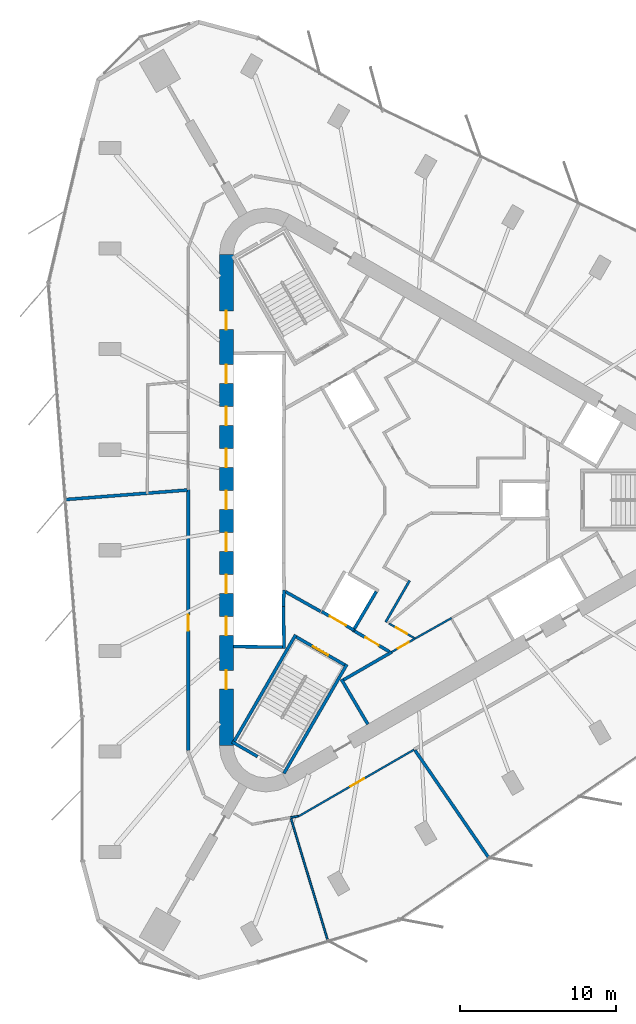
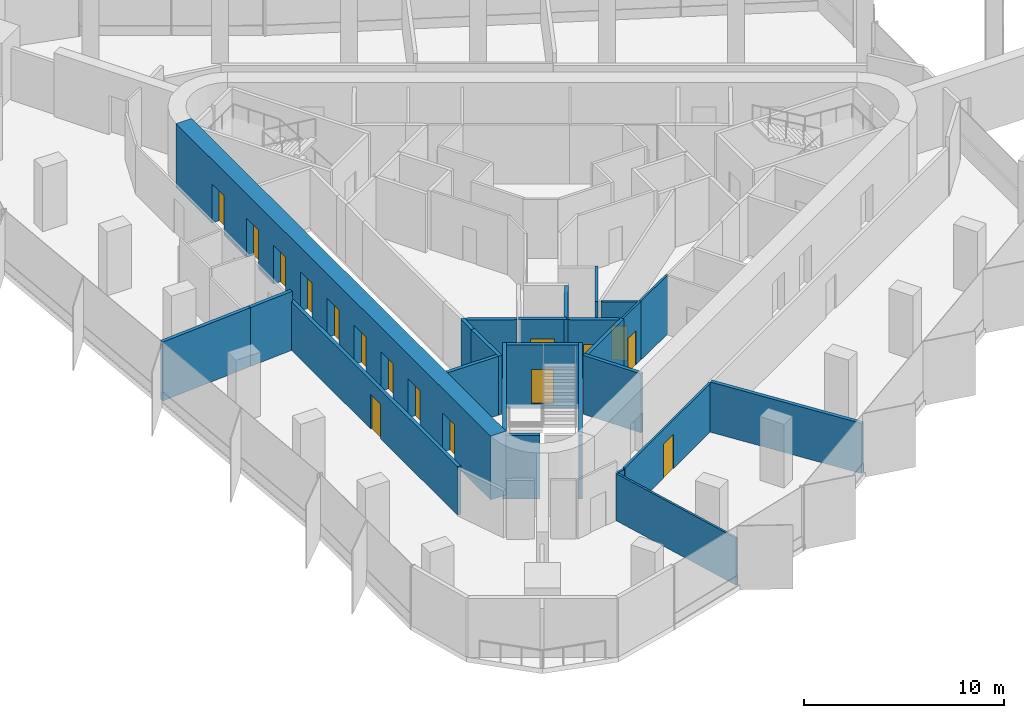
# One storey, part 7 of 12: 25 walls, 16 doors, 16 openings.
"""IFC4 building model written with IfcOpenShell, lengths in metres."""

from ifc_helpers import new_model, si_unit, direction, frame, frame_2d, origin, place, context, subcontext, project, spatial, rectangle, extrude, material, layer, layer_set, type_object, element, fill, save


model = new_model("IFC4")

# Units and contexts
model_context = context("Model", 3, precision=1e-05, world=origin(), true_north=direction((0.0, 1.0)))
body_context = subcontext(model_context, "Body", "Model", "MODEL_VIEW")
ifc_project = project(units=[si_unit("LENGTHUNIT", "METRE"), si_unit("AREAUNIT", "SQUARE_METRE"), si_unit("VOLUMEUNIT", "CUBIC_METRE"), si_unit("PLANEANGLEUNIT", "RADIAN"), si_unit("MASSUNIT", "GRAM", prefix="KILO")], contexts=[model_context])

# Site, building, storey
site_placement = place(None, origin())
site = spatial("IfcSite", under=ifc_project, at=site_placement, CompositionType="ELEMENT")
building_placement = place(site_placement, origin())
building = spatial("IfcBuilding", under=site, at=building_placement, Name="Tanit Gate Tower", CompositionType="ELEMENT")
storey_placement = place(building_placement, frame((0.0, 0.0, 372.800048828125)))
storey = spatial("IfcBuildingStorey", under=building, at=storey_placement, Name="L85", CompositionType="ELEMENT", Elevation=372.800048828125)

# Wall, openings, doors
ifc_material_1 = material(Name="Concrete C40/50", Category="concrete")
ifc_layer_1 = layer(ifc_material_1, 0.89990234375)
ifc_layer_set_1 = layer_set([ifc_layer_1], Name="CORE WALL 900 C40/50")
wall_type_1 = type_object("IfcWallType", Name="CORE WALL 900 C40/50", PredefinedType="SHEAR", material=ifc_layer_set_1)
wall_1_placement = place(storey_placement, frame((-11.64990234375, 15.76171875, 0.0), z_axis=(0.0, 0.0, 1.0), x_axis=(0.0, -1.0, 0.0)))
wall_1 = element("IfcWall", 1, at=wall_1_placement, inside=storey, type_object=wall_type_1, Name="CORE WALL", PredefinedType="SHEAR", context=body_context, shape_type="SweptSolid", body=[
    extrude(rectangle(XDim=31.5234375, YDim=0.89990234375, at=frame_2d((15.76171875, 0.0))), origin(), (0.0, 0.0, 1.0), 3.89990234375),
])
opening_1_placement = place(wall_1_placement, frame((7.061767578125, 0.0, 0.0)))
opening_1 = element("IfcOpeningElement", 2, at=opening_1_placement, cuts=wall_1, Name="Opening LDHL1-85", PredefinedType="OPENING", context=body_context, shape_type="SweptSolid", body=[
    extrude(rectangle(XDim=1.199951171875, YDim=2.39990234375, at=frame_2d((0.60009765625, 1.199951171875))), frame((0.0, 0.4599609375, 0.0), z_axis=(0.0, -1.0, 0.0), x_axis=(1.0, 0.0, 0.0)), (0.0, 0.0, 1.0), 0.919921875),
])
opening_2_placement = place(wall_1_placement, frame((9.76171875, 0.0, 0.0)))
opening_2 = element("IfcOpeningElement", 3, at=opening_2_placement, cuts=wall_1, Name="Opening LDHL2-85", PredefinedType="OPENING", context=body_context, shape_type="SweptSolid", body=[
    extrude(rectangle(XDim=1.199951171875, YDim=2.39990234375, at=frame_2d((0.60009765625, 1.199951171875))), frame((0.0, 0.4599609375, 0.0), z_axis=(0.0, -1.0, 0.0), x_axis=(1.0, 0.0, 0.0)), (0.0, 0.0, 1.0), 0.919921875),
])
opening_3_placement = place(wall_1_placement, frame((12.461669921875, 0.0, 0.0)))
opening_3 = element("IfcOpeningElement", 4, at=opening_3_placement, cuts=wall_1, Name="Opening LDHL3-85", PredefinedType="OPENING", context=body_context, shape_type="SweptSolid", body=[
    extrude(rectangle(XDim=1.199951171875, YDim=2.39990234375, at=frame_2d((0.60009765625, 1.199951171875))), frame((0.0, 0.4599609375, 0.0), z_axis=(0.0, -1.0, 0.0), x_axis=(1.0, 0.0, 0.0)), (0.0, 0.0, 1.0), 0.919921875),
])
opening_4_placement = place(wall_1_placement, frame((15.16162109375, 0.0, 0.0)))
opening_4 = element("IfcOpeningElement", 5, at=opening_4_placement, cuts=wall_1, Name="Opening LDHL4-85", PredefinedType="OPENING", context=body_context, shape_type="SweptSolid", body=[
    extrude(rectangle(XDim=1.199951171875, YDim=2.39990234375, at=frame_2d((0.60009765625, 1.199951171875))), frame((0.0, 0.4599609375, 0.0), z_axis=(0.0, -1.0, 0.0), x_axis=(1.0, 0.0, 0.0)), (0.0, 0.0, 1.0), 0.919921875),
])
opening_5_placement = place(wall_1_placement, frame((17.86181640625, 0.0, 0.0)))
opening_5 = element("IfcOpeningElement", 6, at=opening_5_placement, cuts=wall_1, Name="Opening LDHL5-85", PredefinedType="OPENING", context=body_context, shape_type="SweptSolid", body=[
    extrude(rectangle(XDim=1.199951171875, YDim=2.39990234375, at=frame_2d((0.60009765625, 1.199951171875))), frame((0.0, 0.4599609375, 0.0), z_axis=(0.0, -1.0, 0.0), x_axis=(1.0, 0.0, 0.0)), (0.0, 0.0, 1.0), 0.919921875),
])
opening_6_placement = place(wall_1_placement, frame((20.561767578125, 0.0, 0.0)))
opening_6 = element("IfcOpeningElement", 7, at=opening_6_placement, cuts=wall_1, Name="Opening LDHL6-85", PredefinedType="OPENING", context=body_context, shape_type="SweptSolid", body=[
    extrude(rectangle(XDim=1.199951171875, YDim=2.39990234375, at=frame_2d((0.60009765625, 1.199951171875))), frame((0.0, 0.4599609375, 0.0), z_axis=(0.0, -1.0, 0.0), x_axis=(1.0, 0.0, 0.0)), (0.0, 0.0, 1.0), 0.919921875),
])
opening_7_placement = place(wall_1_placement, frame((23.26171875, 0.0, 0.0)))
opening_7 = element("IfcOpeningElement", 8, at=opening_7_placement, cuts=wall_1, Name="Opening LDHL7-85", PredefinedType="OPENING", context=body_context, shape_type="SweptSolid", body=[
    extrude(rectangle(XDim=1.199951171875, YDim=2.39990234375, at=frame_2d((0.60009765625, 1.199951171875))), frame((0.0, 0.4599609375, 0.0), z_axis=(0.0, -1.0, 0.0), x_axis=(1.0, 0.0, 0.0)), (0.0, 0.0, 1.0), 0.919921875),
])
opening_8_placement = place(wall_1_placement, frame((3.61181640625, 0.0, 0.0)))
opening_8 = element("IfcOpeningElement", 9, at=opening_8_placement, cuts=wall_1, Name="Opening F12-85-FL2", PredefinedType="OPENING", context=body_context, shape_type="SweptSolid", body=[
    extrude(rectangle(XDim=1.199951171875, YDim=2.39990234375, at=frame_2d((0.60009765625, 1.199951171875))), frame((0.0, 0.4599609375, 0.0), z_axis=(0.0, -1.0, 0.0), x_axis=(1.0, 0.0, 0.0)), (0.0, 0.0, 1.0), 0.919921875),
])
opening_9_placement = place(wall_1_placement, frame((26.711669921875, 0.0, 0.0)))
opening_9 = element("IfcOpeningElement", 10, at=opening_9_placement, cuts=wall_1, Name="Opening F12-85-S3", PredefinedType="OPENING", context=body_context, shape_type="SweptSolid", body=[
    extrude(rectangle(XDim=1.199951171875, YDim=2.39990234375, at=frame_2d((0.60009765625, 1.199951171875))), frame((0.0, 0.4599609375, 0.0), z_axis=(0.0, -1.0, 0.0), x_axis=(1.0, 0.0, 0.0)), (0.0, 0.0, 1.0), 0.919921875),
])
ifc_material_2 = material(Name="Fire-rated steel door leaf", Category="steel")
door_type_1 = type_object("IfcDoorType", Name="INT-DOOR-FIRE-LOBBY-1200", OperationType="NOTDEFINED", PredefinedType="USERDEFINED", material=ifc_material_2)
door_1_placement = place(opening_8_placement, origin())
door_1 = element("IfcDoor", 11, at=door_1_placement, inside=storey, type_object=door_type_1, Name="Door F12-85-FL2", ObjectType="FIRE DOOR", OperationType="SINGLE_SWING_RIGHT", OverallHeight=2.39990234375, OverallWidth=1.199951171875, PredefinedType="USERDEFINED", context=body_context, shape_type="SweptSolid", body=[
    extrude(rectangle(XDim=1.199951171875, YDim=2.39990234375, at=frame_2d((0.60009765625, 1.199951171875))), frame((0.0, 0.02490234375, 0.0), z_axis=(0.0, -1.0, 0.0), x_axis=(1.0, 0.0, 0.0)), (0.0, 0.0, 1.0), 0.050048828125),
])
fill(opening_8, door_1)
door_2_placement = place(opening_9_placement, origin())
door_2 = element("IfcDoor", 12, at=door_2_placement, inside=storey, type_object=door_type_1, Name="Door F12-85-S3", ObjectType="FIRE DOOR", OperationType="SINGLE_SWING_RIGHT", OverallHeight=2.39990234375, OverallWidth=1.199951171875, PredefinedType="USERDEFINED", context=body_context, shape_type="SweptSolid", body=[
    extrude(rectangle(XDim=1.199951171875, YDim=2.39990234375, at=frame_2d((0.60009765625, 1.199951171875))), frame((0.0, 0.02490234375, 0.0), z_axis=(0.0, -1.0, 0.0), x_axis=(1.0, 0.0, 0.0)), (0.0, 0.0, 1.0), 0.050048828125),
])
fill(opening_9, door_2)
ifc_material_3 = material(Name="Stainless steel sliding door leaf", Category="steel")
door_type_2 = type_object("IfcDoorType", Name="INT-DOOR-LANDING-1200", OperationType="NOTDEFINED", PredefinedType="USERDEFINED", material=ifc_material_3)
door_3_placement = place(opening_1_placement, origin())
door_3 = element("IfcDoor", 13, at=door_3_placement, inside=storey, type_object=door_type_2, Name="Door LDHL1-85", ObjectType="LANDING DOOR", OperationType="SLIDING_TO_LEFT", OverallHeight=2.39990234375, OverallWidth=1.199951171875, PredefinedType="USERDEFINED", context=body_context, shape_type="SweptSolid", body=[
    extrude(rectangle(XDim=1.199951171875, YDim=2.39990234375, at=frame_2d((0.60009765625, 1.199951171875))), frame((0.0, 0.02490234375, 0.0), z_axis=(0.0, -1.0, 0.0), x_axis=(1.0, 0.0, 0.0)), (0.0, 0.0, 1.0), 0.050048828125),
])
fill(opening_1, door_3)
door_4_placement = place(opening_2_placement, origin())
door_4 = element("IfcDoor", 14, at=door_4_placement, inside=storey, type_object=door_type_2, Name="Door LDHL2-85", ObjectType="LANDING DOOR", OperationType="SLIDING_TO_LEFT", OverallHeight=2.39990234375, OverallWidth=1.199951171875, PredefinedType="USERDEFINED", context=body_context, shape_type="SweptSolid", body=[
    extrude(rectangle(XDim=1.199951171875, YDim=2.39990234375, at=frame_2d((0.60009765625, 1.199951171875))), frame((0.0, 0.02490234375, 0.0), z_axis=(0.0, -1.0, 0.0), x_axis=(1.0, 0.0, 0.0)), (0.0, 0.0, 1.0), 0.050048828125),
])
fill(opening_2, door_4)
door_5_placement = place(opening_3_placement, origin())
door_5 = element("IfcDoor", 15, at=door_5_placement, inside=storey, type_object=door_type_2, Name="Door LDHL3-85", ObjectType="LANDING DOOR", OperationType="SLIDING_TO_LEFT", OverallHeight=2.39990234375, OverallWidth=1.199951171875, PredefinedType="USERDEFINED", context=body_context, shape_type="SweptSolid", body=[
    extrude(rectangle(XDim=1.199951171875, YDim=2.39990234375, at=frame_2d((0.60009765625, 1.199951171875))), frame((0.0, 0.02490234375, 0.0), z_axis=(0.0, -1.0, 0.0), x_axis=(1.0, 0.0, 0.0)), (0.0, 0.0, 1.0), 0.050048828125),
])
fill(opening_3, door_5)
door_6_placement = place(opening_4_placement, origin())
door_6 = element("IfcDoor", 16, at=door_6_placement, inside=storey, type_object=door_type_2, Name="Door LDHL4-85", ObjectType="LANDING DOOR", OperationType="SLIDING_TO_LEFT", OverallHeight=2.39990234375, OverallWidth=1.199951171875, PredefinedType="USERDEFINED", context=body_context, shape_type="SweptSolid", body=[
    extrude(rectangle(XDim=1.199951171875, YDim=2.39990234375, at=frame_2d((0.60009765625, 1.199951171875))), frame((0.0, 0.02490234375, 0.0), z_axis=(0.0, -1.0, 0.0), x_axis=(1.0, 0.0, 0.0)), (0.0, 0.0, 1.0), 0.050048828125),
])
fill(opening_4, door_6)
door_7_placement = place(opening_5_placement, origin())
door_7 = element("IfcDoor", 17, at=door_7_placement, inside=storey, type_object=door_type_2, Name="Door LDHL5-85", ObjectType="LANDING DOOR", OperationType="SLIDING_TO_LEFT", OverallHeight=2.39990234375, OverallWidth=1.199951171875, PredefinedType="USERDEFINED", context=body_context, shape_type="SweptSolid", body=[
    extrude(rectangle(XDim=1.199951171875, YDim=2.39990234375, at=frame_2d((0.60009765625, 1.199951171875))), frame((0.0, 0.02490234375, 0.0), z_axis=(0.0, -1.0, 0.0), x_axis=(1.0, 0.0, 0.0)), (0.0, 0.0, 1.0), 0.050048828125),
])
fill(opening_5, door_7)
door_8_placement = place(opening_6_placement, origin())
door_8 = element("IfcDoor", 18, at=door_8_placement, inside=storey, type_object=door_type_2, Name="Door LDHL6-85", ObjectType="LANDING DOOR", OperationType="SLIDING_TO_LEFT", OverallHeight=2.39990234375, OverallWidth=1.199951171875, PredefinedType="USERDEFINED", context=body_context, shape_type="SweptSolid", body=[
    extrude(rectangle(XDim=1.199951171875, YDim=2.39990234375, at=frame_2d((0.60009765625, 1.199951171875))), frame((0.0, 0.02490234375, 0.0), z_axis=(0.0, -1.0, 0.0), x_axis=(1.0, 0.0, 0.0)), (0.0, 0.0, 1.0), 0.050048828125),
])
fill(opening_6, door_8)
door_9_placement = place(opening_7_placement, origin())
door_9 = element("IfcDoor", 19, at=door_9_placement, inside=storey, type_object=door_type_2, Name="Door LDHL7-85", ObjectType="LANDING DOOR", OperationType="SLIDING_TO_LEFT", OverallHeight=2.39990234375, OverallWidth=1.199951171875, PredefinedType="USERDEFINED", context=body_context, shape_type="SweptSolid", body=[
    extrude(rectangle(XDim=1.199951171875, YDim=2.39990234375, at=frame_2d((0.60009765625, 1.199951171875))), frame((0.0, 0.02490234375, 0.0), z_axis=(0.0, -1.0, 0.0), x_axis=(1.0, 0.0, 0.0)), (0.0, 0.0, 1.0), 0.050048828125),
])
fill(opening_7, door_9)

# Walls
ifc_material_4 = material(Name="Fire-rated gypsum board partition")
ifc_layer_2 = layer(ifc_material_4, 0.199951171875)
ifc_layer_set_2 = layer_set([ifc_layer_2], Name="INT-WALL-COMPARTMENT")
wall_type_2 = type_object("IfcWallType", Name="INT-WALL-COMPARTMENT", PredefinedType="PARTITIONING", material=ifc_layer_set_2)
wall_2_placement = place(storey_placement, frame((-4.259765625, -11.523681640625, 0.0), z_axis=(0.0, 0.0, 1.0), x_axis=(0.507997497166, -0.861358544901, 0.0)))
element("IfcWall", 20, at=wall_2_placement, inside=storey, type_object=wall_type_2, Name="Wall Compartment W060", PredefinedType="PARTITIONING", context=body_context, shape_type="SweptSolid", body=[
    extrude(rectangle(XDim=3.350341796875, YDim=0.199951171875, at=frame_2d((1.67529296875, 0.0))), origin(), (0.0, 0.0, 1.0), 3.599853515625),
])
wall_3_placement = place(storey_placement, frame((-1.02392578125, -9.77099609375, 0.0), z_axis=(0.0, 0.0, 1.0), x_axis=(-0.866029903013, -0.499992207027, 0.0)))
element("IfcWall", 21, at=wall_3_placement, inside=storey, type_object=wall_type_2, Name="Wall Compartment W061", PredefinedType="PARTITIONING", context=body_context, shape_type="SweptSolid", body=[
    extrude(rectangle(XDim=3.57763671875, YDim=0.199951171875, at=frame_2d((1.788818359375, 0.0))), origin(), (0.0, 0.0, 1.0), 3.599853515625),
])
wall_4_placement = place(storey_placement, frame((-7.84912109375, -5.893798828125, 0.0), z_axis=(0.0, 0.0, 1.0), x_axis=(0.871340486379, -0.490678873396, 0.0)))
element("IfcWall", 22, at=wall_4_placement, inside=storey, type_object=wall_type_2, Name="Wall Compartment W071", PredefinedType="PARTITIONING", context=body_context, shape_type="SweptSolid", body=[
    extrude(rectangle(XDim=2.580810546875, YDim=0.199951171875, at=frame_2d((1.29052734375, 0.0))), origin(), (0.0, 0.0, 1.0), 3.599853515625),
])

# Wall, opening, door
wall_5_placement = place(storey_placement, frame((-3.400634765625, -8.43017578125, 0.0), z_axis=(0.0, 0.0, 1.0), x_axis=(0.860630814782, -0.509229418482, 0.0)))
wall_5 = element("IfcWall", 23, at=wall_5_placement, inside=storey, type_object=wall_type_2, Name="Wall Compartment W072", PredefinedType="PARTITIONING", context=body_context, shape_type="SweptSolid", body=[
    extrude(rectangle(XDim=2.581787109375, YDim=0.199951171875, at=frame_2d((1.291015625, 0.0))), origin(), (0.0, 0.0, 1.0), 3.599853515625),
])
opening_10_placement = place(wall_5_placement, frame((0.791015625, 0.0, 0.0)))
opening_10 = element("IfcOpeningElement", 24, at=opening_10_placement, cuts=wall_5, Name="Opening F10-85-08", PredefinedType="OPENING", context=body_context, shape_type="SweptSolid", body=[
    extrude(rectangle(XDim=1.0, YDim=2.10009765625, at=frame_2d((0.5, 1.050048828125))), frame((0.0, 0.10986328125, 0.0), z_axis=(0.0, -1.0, 0.0), x_axis=(1.0, 0.0, 0.0)), (0.0, 0.0, 1.0), 0.219970703125),
])
ifc_material_5 = material(Name="Fire-rated steel door leaf", Category="steel")
door_type_3 = type_object("IfcDoorType", Name="INT-DOOR-FIRE-1000", OperationType="NOTDEFINED", PredefinedType="USERDEFINED", material=ifc_material_5)
door_10_placement = place(opening_10_placement, origin())
door_10 = element("IfcDoor", 25, at=door_10_placement, inside=storey, type_object=door_type_3, Name="Door F10-85-08", ObjectType="FIRE DOOR", OperationType="SINGLE_SWING_RIGHT", OverallHeight=2.10009765625, OverallWidth=1.0, PredefinedType="USERDEFINED", context=body_context, shape_type="SweptSolid", body=[
    extrude(rectangle(XDim=1.0, YDim=2.10009765625, at=frame_2d((0.5, 1.050048828125))), frame((0.0, 0.02490234375, 0.0), z_axis=(0.0, -1.0, 0.0), x_axis=(1.0, 0.0, 0.0)), (0.0, 0.0, 1.0), 0.050048828125),
])
fill(opening_10, door_10)

wall_6_placement = place(storey_placement, frame((-14.10009765625, 0.66748046875, 0.0), z_axis=(0.0, 0.0, 1.0), x_axis=(0.0, -1.0, 0.0)))
wall_6 = element("IfcWall", 26, at=wall_6_placement, inside=storey, type_object=wall_type_2, Name="Wall Compartment W099", PredefinedType="PARTITIONING", context=body_context, shape_type="SweptSolid", body=[
    extrude(rectangle(XDim=16.76123046875, YDim=0.199951171875, at=frame_2d((8.380615234375, 0.0))), origin(), (0.0, 0.0, 1.0), 2.969970703125),
])
opening_11_placement = place(wall_6_placement, frame((8.056396484375, 0.0, 0.0)))
opening_11 = element("IfcOpeningElement", 27, at=opening_11_placement, cuts=wall_6, Name="Opening F10-85-24", PredefinedType="OPENING", context=body_context, shape_type="SweptSolid", body=[
    extrude(rectangle(XDim=1.0, YDim=2.10009765625, at=frame_2d((0.5, 1.050048828125))), frame((0.0, 0.10986328125, 0.0), z_axis=(0.0, -1.0, 0.0), x_axis=(1.0, 0.0, 0.0)), (0.0, 0.0, 1.0), 0.219970703125),
])
door_11_placement = place(opening_11_placement, origin())
door_11 = element("IfcDoor", 28, at=door_11_placement, inside=storey, type_object=door_type_3, Name="Door F10-85-24", ObjectType="FIRE DOOR", OperationType="SINGLE_SWING_LEFT", OverallHeight=2.10009765625, OverallWidth=1.0, PredefinedType="USERDEFINED", context=body_context, shape_type="SweptSolid", body=[
    extrude(rectangle(XDim=1.0, YDim=2.10009765625, at=frame_2d((0.5, 1.050048828125))), frame((0.0, 0.02490234375, 0.0), z_axis=(0.0, -1.0, 0.0), x_axis=(1.0, 0.0, 0.0)), (0.0, 0.0, 1.0), 0.050048828125),
])
fill(opening_11, door_11)

# Walls
wall_7_placement = place(storey_placement, frame((-22.001708984375, 0.027587890625, 0.0), z_axis=(0.0, 0.0, 1.0), x_axis=(0.99697482818, 0.077725105181, 0.0)))
element("IfcWall", 29, at=wall_7_placement, inside=storey, type_object=wall_type_2, Name="Wall Compartment W103", PredefinedType="PARTITIONING", context=body_context, shape_type="SweptSolid", body=[
    extrude(rectangle(XDim=5.31787109375, YDim=0.199951171875, at=frame_2d((2.658935546875, 0.0))), origin(), (0.0, 0.0, 1.0), 3.599853515625),
])
wall_8_placement = place(storey_placement, frame((-14.159912109375, 0.638671875, 0.0), z_axis=(0.0, 0.0, 1.0), x_axis=(-0.996983033341, -0.077619786333, 0.0)))
element("IfcWall", 30, at=wall_8_placement, inside=storey, type_object=wall_type_2, Name="Wall Compartment W107", PredefinedType="PARTITIONING", context=body_context, shape_type="SweptSolid", body=[
    extrude(rectangle(XDim=2.547607421875, YDim=0.199951171875, at=frame_2d((1.27392578125, 0.0))), origin(), (0.0, 0.0, 1.0), 3.599853515625),
])
wall_9_placement = place(storey_placement, frame((0.469970703125, -16.079345703125, 0.0), z_axis=(0.0, 0.0, 1.0), x_axis=(0.565779411874, -0.824556642748, 0.0)))
element("IfcWall", 31, at=wall_9_placement, inside=storey, type_object=wall_type_2, Name="Wall Compartment W127", PredefinedType="PARTITIONING", context=body_context, shape_type="SweptSolid", body=[
    extrude(rectangle(XDim=8.408935546875, YDim=0.199951171875, at=frame_2d((4.20458984375, 0.0))), origin(), (0.0, 0.0, 1.0), 3.070068359375),
])
ifc_material_6 = material(Name="Gypsum board partition")
ifc_layer_3 = layer(ifc_material_6, 0.1201171875)
ifc_layer_set_3 = layer_set([ifc_layer_3], Name="INT-WALL-PARTITION")
wall_type_3 = type_object("IfcWallType", Name="INT-WALL-PARTITION", PredefinedType="PARTITIONING", material=ifc_layer_set_3)
wall_10_placement = place(storey_placement, frame((0.4931640625, -8.896240234375, 0.0), z_axis=(0.0, 0.0, 1.0), x_axis=(0.871414386141, 0.490547620141, 0.0)))
element("IfcWall", 32, at=wall_10_placement, inside=storey, type_object=wall_type_3, Name="Wall Partition W062", PredefinedType="PARTITIONING", context=body_context, shape_type="SweptSolid", body=[
    extrude(rectangle(XDim=2.671142578125, YDim=0.1201171875, at=frame_2d((1.33544921875, 0.0))), origin(), (0.0, 0.0, 1.0), 3.599853515625),
])

# Wall, opening, door
wall_11_placement = place(storey_placement, frame((0.49267578125, -8.8955078125, 0.0), z_axis=(0.0, 0.0, 1.0), x_axis=(-0.86605557906, -0.499947731247, 0.0)))
wall_11 = element("IfcWall", 33, at=wall_11_placement, inside=storey, type_object=wall_type_3, Name="Wall Partition W063", PredefinedType="PARTITIONING", context=body_context, shape_type="SweptSolid", body=[
    extrude(rectangle(XDim=1.751220703125, YDim=0.1201171875, at=frame_2d((0.87548828125, 0.0))), origin(), (0.0, 0.0, 1.0), 3.599853515625),
])
opening_12_placement = place(wall_11_placement, frame((0.485595703125, 0.0, 0.0)))
opening_12 = element("IfcOpeningElement", 34, at=opening_12_placement, cuts=wall_11, Name="Opening R08-85-18", PredefinedType="OPENING", context=body_context, shape_type="SweptSolid", body=[
    extrude(rectangle(XDim=0.800048828125, YDim=2.10009765625, at=frame_2d((0.39990234375, 1.050048828125))), frame((0.0, 0.070068359375, 0.0), z_axis=(0.0, -1.0, 0.0), x_axis=(1.0, 0.0, 0.0)), (0.0, 0.0, 1.0), 0.14013671875),
])
ifc_material_7 = material(Name="Timber door leaf", Category="wood")
door_type_4 = type_object("IfcDoorType", Name="INT-DOOR-RISER-800", OperationType="NOTDEFINED", PredefinedType="USERDEFINED", material=ifc_material_7)
door_12_placement = place(opening_12_placement, origin())
door_12 = element("IfcDoor", 35, at=door_12_placement, inside=storey, type_object=door_type_4, Name="Door R08-85-18", ObjectType="FIRE DOOR", OperationType="SINGLE_SWING_RIGHT", OverallHeight=2.10009765625, OverallWidth=0.800048828125, PredefinedType="USERDEFINED", context=body_context, shape_type="SweptSolid", body=[
    extrude(rectangle(XDim=0.800048828125, YDim=2.10009765625, at=frame_2d((0.39990234375, 1.050048828125))), frame((0.0, 0.02490234375, 0.0), z_axis=(0.0, -1.0, 0.0), x_axis=(1.0, 0.0, 0.0)), (0.0, 0.0, 1.0), 0.050048828125),
])
fill(opening_12, door_12)

wall_12_placement = place(storey_placement, frame((-1.19482421875, -7.936279296875, 0.0), z_axis=(0.0, 0.0, 1.0), x_axis=(0.864979954643, -0.50180641493, 0.0)))
wall_12 = element("IfcWall", 36, at=wall_12_placement, inside=storey, type_object=wall_type_3, Name="Wall Partition W082", PredefinedType="PARTITIONING", context=body_context, shape_type="SweptSolid", body=[
    extrude(rectangle(XDim=1.861328125, YDim=0.1201171875, at=frame_2d((0.9306640625, 0.0))), origin(), (0.0, 0.0, 1.0), 3.599853515625),
])
opening_13_placement = place(wall_12_placement, frame((0.53076171875, 0.0, 0.0)))
opening_13 = element("IfcOpeningElement", 37, at=opening_13_placement, cuts=wall_12, Name="Opening R08-85-12", PredefinedType="OPENING", context=body_context, shape_type="SweptSolid", body=[
    extrude(rectangle(XDim=0.800048828125, YDim=2.10009765625, at=frame_2d((0.39990234375, 1.050048828125))), frame((0.0, 0.070068359375, 0.0), z_axis=(0.0, -1.0, 0.0), x_axis=(1.0, 0.0, 0.0)), (0.0, 0.0, 1.0), 0.14013671875),
])
door_13_placement = place(opening_13_placement, origin())
door_13 = element("IfcDoor", 38, at=door_13_placement, inside=storey, type_object=door_type_4, Name="Door R08-85-12", ObjectType="FIRE DOOR", OperationType="SINGLE_SWING_RIGHT", OverallHeight=2.10009765625, OverallWidth=0.800048828125, PredefinedType="USERDEFINED", context=body_context, shape_type="SweptSolid", body=[
    extrude(rectangle(XDim=0.800048828125, YDim=2.10009765625, at=frame_2d((0.39990234375, 1.050048828125))), frame((0.0, 0.02490234375, 0.0), z_axis=(0.0, -1.0, 0.0), x_axis=(1.0, 0.0, 0.0)), (0.0, 0.0, 1.0), 0.050048828125),
])
fill(opening_13, door_13)

# Wall
wall_13_placement = place(storey_placement, frame((-7.51953125, -20.404052734375, 0.0), z_axis=(0.0, 0.0, 1.0), x_axis=(0.984743719612, 0.174010938405, 0.0)))
element("IfcWall", 39, at=wall_13_placement, inside=storey, type_object=wall_type_3, Name="Wall Partition W122", PredefinedType="PARTITIONING", context=body_context, shape_type="SweptSolid", body=[
    extrude(rectangle(XDim=0.493896484375, YDim=0.1201171875, at=frame_2d((0.2470703125, 0.0))), origin(), (0.0, 0.0, 1.0), 2.8798828125),
])

# Wall, opening, door
wall_14_placement = place(storey_placement, frame((-7.026123046875, -20.337890625, 0.0), z_axis=(0.0, 0.0, 1.0), x_axis=(0.866013824275, 0.500020055763, 0.0)))
wall_14 = element("IfcWall", 40, at=wall_14_placement, inside=storey, type_object=wall_type_3, Name="Wall Partition W121", PredefinedType="PARTITIONING", context=body_context, shape_type="SweptSolid", body=[
    extrude(rectangle(XDim=8.592529296875, YDim=0.1201171875, at=frame_2d((4.29638671875, 0.0))), origin(), (0.0, 0.0, 1.0), 2.969970703125),
])
opening_14_placement = place(wall_14_placement, frame((3.860107421875, 0.0, 0.0)))
opening_14 = element("IfcOpeningElement", 41, at=opening_14_placement, cuts=wall_14, Name="Opening D10-85-29", PredefinedType="OPENING", context=body_context, shape_type="SweptSolid", body=[
    extrude(rectangle(XDim=1.0, YDim=2.10009765625, at=frame_2d((0.5, 1.050048828125))), frame((0.0, 0.070068359375, 0.0), z_axis=(0.0, -1.0, 0.0), x_axis=(1.0, 0.0, 0.0)), (0.0, 0.0, 1.0), 0.14013671875),
])
ifc_material_8 = material(Name="Timber door leaf", Category="wood")
door_type_5 = type_object("IfcDoorType", Name="INT-DOOR-SINGLE-1000", OperationType="NOTDEFINED", PredefinedType="NOTDEFINED", material=ifc_material_8)
door_14_placement = place(opening_14_placement, origin())
door_14 = element("IfcDoor", 42, at=door_14_placement, inside=storey, type_object=door_type_5, Name="Door D10-85-29", OperationType="SINGLE_SWING_LEFT", OverallHeight=2.10009765625, OverallWidth=1.0, PredefinedType="NOTDEFINED", context=body_context, shape_type="SweptSolid", body=[
    extrude(rectangle(XDim=1.0, YDim=2.10009765625, at=frame_2d((0.5, 1.050048828125))), frame((0.0, 0.02490234375, 0.0), z_axis=(0.0, -1.0, 0.0), x_axis=(1.0, 0.0, 0.0)), (0.0, 0.0, 1.0), 0.050048828125),
])
fill(opening_14, door_14)

# Walls
wall_15_placement = place(storey_placement, frame((-7.49853515625, -20.461181640625, 0.0), z_axis=(0.0, 0.0, 1.0), x_axis=(0.288427364555, -0.957501778262, 0.0)))
element("IfcWall", 43, at=wall_15_placement, inside=storey, type_object=wall_type_3, Name="Wall Partition W126", PredefinedType="PARTITIONING", context=body_context, shape_type="SweptSolid", body=[
    extrude(rectangle(XDim=8.236083984375, YDim=0.1201171875, at=frame_2d((4.1181640625, 0.0))), origin(), (0.0, 0.0, 1.0), 2.8798828125),
])
ifc_material_9 = material(Name="Fire-rated gypsum board partition")
ifc_layer_4 = layer(ifc_material_9, 0.14990234375)
ifc_layer_set_4 = layer_set([ifc_layer_4], Name="INT-WALL-RISER")
wall_type_4 = type_object("IfcWallType", Name="INT-WALL-RISER", PredefinedType="PLUMBINGWALL", material=ifc_layer_set_4)
wall_16_placement = place(storey_placement, frame((0.125732421875, -5.18212890625, 0.0), z_axis=(0.0, 0.0, 1.0), x_axis=(-0.499956128963, -0.866050731258, 0.0)))
element("IfcWall", 44, at=wall_16_placement, inside=storey, type_object=wall_type_4, Name="Wall Riser W077", PredefinedType="PLUMBINGWALL", context=body_context, shape_type="SweptSolid", body=[
    extrude(rectangle(XDim=3.074951171875, YDim=0.14990234375, at=frame_2d((1.53759765625, 0.0))), origin(), (0.0, 0.0, 1.0), 3.599853515625),
])
ifc_material_10 = material(Name="Gypsum shaft wall system")
ifc_layer_5 = layer(ifc_material_10, 0.199951171875)
ifc_layer_set_5 = layer_set([ifc_layer_5], Name="INT-WALL-SHAFT")
wall_type_5 = type_object("IfcWallType", Name="INT-WALL-SHAFT", PredefinedType="PLUMBINGWALL", material=ifc_layer_set_5)
wall_17_placement = place(storey_placement, frame((-7.949951171875, -5.7724609375, 0.0), z_axis=(0.0, 0.0, 1.0), x_axis=(-0.030803413295, -0.999525462272, 0.0)))
element("IfcWall", 45, at=wall_17_placement, inside=storey, type_object=wall_type_5, Name="Wall Shaft W008", PredefinedType="PLUMBINGWALL", context=body_context, shape_type="SweptSolid", body=[
    extrude(rectangle(XDim=1.077880859375, YDim=0.199951171875, at=frame_2d((0.5390625, 0.0))), origin(), (0.0, 0.0, 1.0), 3.599853515625),
])
wall_18_placement = place(storey_placement, frame((-7.97900390625, -6.85009765625, 0.0), z_axis=(0.0, 0.0, 1.0), x_axis=(0.011121475088, -0.999938154483, 0.0)))
element("IfcWall", 46, at=wall_18_placement, inside=storey, type_object=wall_type_5, Name="Wall Shaft W010", PredefinedType="PLUMBINGWALL", context=body_context, shape_type="SweptSolid", body=[
    extrude(rectangle(XDim=2.7001953125, YDim=0.199951171875, at=frame_2d((1.35009765625, 0.0))), origin(), (0.0, 0.0, 1.0), 3.599853515625),
])
wall_19_placement = place(storey_placement, frame((-8.050048828125, -9.448974609375, 0.0), z_axis=(0.0, 0.0, 1.0), x_axis=(-0.999957467379, 0.009222983926, 0.0)))
element("IfcWall", 47, at=wall_19_placement, inside=storey, type_object=wall_type_5, Name="Wall Shaft W011", PredefinedType="PLUMBINGWALL", context=body_context, shape_type="SweptSolid", body=[
    extrude(rectangle(XDim=3.150146484375, YDim=0.199951171875, at=frame_2d((1.5751953125, 0.0))), origin(), (0.0, 0.0, 1.0), 3.599853515625),
])

# Wall, opening, door
wall_20_placement = place(storey_placement, frame((-3.44580078125, -8.3681640625, 0.0), z_axis=(0.0, 0.0, 1.0), x_axis=(-0.866024647952, 0.500001309137, 0.0)))
wall_20 = element("IfcWall", 48, at=wall_20_placement, inside=storey, type_object=wall_type_5, Name="Wall Shaft W044", PredefinedType="PLUMBINGWALL", context=body_context, shape_type="SweptSolid", body=[
    extrude(rectangle(XDim=2.39990234375, YDim=0.199951171875, at=frame_2d((1.199951171875, 0.0))), origin(), (0.0, 0.0, 1.0), 3.599853515625),
])
opening_15_placement = place(wall_20_placement, frame((0.60009765625, 0.0, 0.0)))
opening_15 = element("IfcOpeningElement", 49, at=opening_15_placement, cuts=wall_20, Name="Opening LDFL3-L85", PredefinedType="OPENING", context=body_context, shape_type="SweptSolid", body=[
    extrude(rectangle(XDim=1.199951171875, YDim=2.39990234375, at=frame_2d((0.60009765625, 1.199951171875))), frame((0.0, 0.10986328125, 0.0), z_axis=(0.0, -1.0, 0.0), x_axis=(1.0, 0.0, 0.0)), (0.0, 0.0, 1.0), 0.219970703125),
])
door_15_placement = place(opening_15_placement, origin())
door_15 = element("IfcDoor", 50, at=door_15_placement, inside=storey, type_object=door_type_2, Name="Door LDFL3-L85", ObjectType="LANDING DOOR", OperationType="SLIDING_TO_LEFT", OverallHeight=2.39990234375, OverallWidth=1.199951171875, PredefinedType="USERDEFINED", context=body_context, shape_type="SweptSolid", body=[
    extrude(rectangle(XDim=1.199951171875, YDim=2.39990234375, at=frame_2d((0.60009765625, 1.199951171875))), frame((0.0, 0.02490234375, 0.0), z_axis=(0.0, -1.0, 0.0), x_axis=(1.0, 0.0, 0.0)), (0.0, 0.0, 1.0), 0.050048828125),
])
fill(opening_15, door_15)

# Walls
wall_21_placement = place(storey_placement, frame((-2.01171875, -5.88232421875, 0.0), z_axis=(0.0, 0.0, 1.0), x_axis=(-0.508619639323, -0.860991325447, 0.0)))
element("IfcWall", 51, at=wall_21_placement, inside=storey, type_object=wall_type_5, Name="Wall Shaft W047", PredefinedType="PLUMBINGWALL", context=body_context, shape_type="SweptSolid", body=[
    extrude(rectangle(XDim=3.0, YDim=0.199951171875, at=frame_2d((1.5, 0.0))), origin(), (0.0, 0.0, 1.0), 3.599853515625),
])
ifc_material_11 = material(Name="Concrete C40/50", Category="concrete")
ifc_layer_6 = layer(ifc_material_11, 0.199951171875)
ifc_layer_set_6 = layer_set([ifc_layer_6], Name="INT-WALL-STAIR")
wall_type_6 = type_object("IfcWallType", Name="INT-WALL-STAIR", PredefinedType="SHEAR", material=ifc_layer_set_6)
wall_22_placement = place(storey_placement, frame((-3.904541015625, -10.56298828125, -0.300048828125), z_axis=(0.0, 0.0, 1.0), x_axis=(-0.500012932018, -0.866017937352, 0.0)))
element("IfcWall", 52, at=wall_22_placement, inside=storey, type_object=wall_type_6, Name="Wall Stair W039", PredefinedType="SHEAR", context=body_context, shape_type="SweptSolid", body=[
    extrude(rectangle(XDim=8.099853515625, YDim=0.199951171875, at=frame_2d((4.0498046875, 0.0))), origin(), (0.0, 0.0, 1.0), 3.89990234375),
])
wall_23_placement = place(storey_placement, frame((-11.281982421875, -15.541015625, -0.300048828125), z_axis=(0.0, 0.0, 1.0), x_axis=(0.866000578957, -0.500042995397, 0.0)))
element("IfcWall", 53, at=wall_23_placement, inside=storey, type_object=wall_type_6, Name="Wall Stair W041", PredefinedType="SHEAR", context=body_context, shape_type="SweptSolid", body=[
    extrude(rectangle(XDim=1.889892578125, YDim=0.199951171875, at=frame_2d((0.94482421875, 0.0))), origin(), (0.0, 0.0, 1.0), 3.89990234375),
])
wall_24_placement = place(storey_placement, frame((-7.195556640625, -8.662841796875, -0.300048828125), z_axis=(0.0, 0.0, 1.0), x_axis=(-0.499997992926, -0.866026562566, 0.0)))
element("IfcWall", 54, at=wall_24_placement, inside=storey, type_object=wall_type_6, Name="Wall Stair W042", PredefinedType="SHEAR", context=body_context, shape_type="SweptSolid", body=[
    extrude(rectangle(XDim=7.89990234375, YDim=0.199951171875, at=frame_2d((3.949951171875, 0.0))), origin(), (0.0, 0.0, 1.0), 3.89990234375),
])

# Wall, opening, door
wall_25_placement = place(storey_placement, frame((-4.041259765625, -10.599365234375, -0.300048828125), z_axis=(0.0, 0.0, 1.0), x_axis=(-0.866047807691, 0.499961193289, 0.0)))
wall_25 = element("IfcWall", 55, at=wall_25_placement, inside=storey, type_object=wall_type_6, Name="Wall Stair W043", PredefinedType="SHEAR", context=body_context, shape_type="SweptSolid", body=[
    extrude(rectangle(XDim=3.599853515625, YDim=0.199951171875, at=frame_2d((1.7998046875, 0.0))), origin(), (0.0, 0.0, 1.0), 3.89990234375),
])
opening_16_placement = place(wall_25_placement, frame((1.25, 0.0, 0.300048828125)))
opening_16 = element("IfcOpeningElement", 56, at=opening_16_placement, cuts=wall_25, Name="Opening S11-85-07", PredefinedType="OPENING", context=body_context, shape_type="SweptSolid", body=[
    extrude(rectangle(XDim=1.10009765625, YDim=2.10009765625, at=frame_2d((0.550048828125, 1.050048828125))), frame((0.0, 0.10986328125, 0.0), z_axis=(0.0, -1.0, 0.0), x_axis=(1.0, 0.0, 0.0)), (0.0, 0.0, 1.0), 0.219970703125),
])
ifc_material_12 = material(Name="Timber door leaf", Category="wood")
door_type_6 = type_object("IfcDoorType", Name="INT-DOOR-STAIR-1100", OperationType="NOTDEFINED", PredefinedType="USERDEFINED", material=ifc_material_12)
door_16_placement = place(opening_16_placement, origin())
door_16 = element("IfcDoor", 57, at=door_16_placement, inside=storey, type_object=door_type_6, Name="Door S11-85-07", ObjectType="FIRE DOOR", OperationType="SINGLE_SWING_LEFT", OverallHeight=2.10009765625, OverallWidth=1.10009765625, PredefinedType="USERDEFINED", context=body_context, shape_type="SweptSolid", body=[
    extrude(rectangle(XDim=1.10009765625, YDim=2.10009765625, at=frame_2d((0.550048828125, 1.050048828125))), frame((0.0, 0.02490234375, 0.0), z_axis=(0.0, -1.0, 0.0), x_axis=(1.0, 0.0, 0.0)), (0.0, 0.0, 1.0), 0.050048828125),
])
fill(opening_16, door_16)

save(model, "model.ifc")
